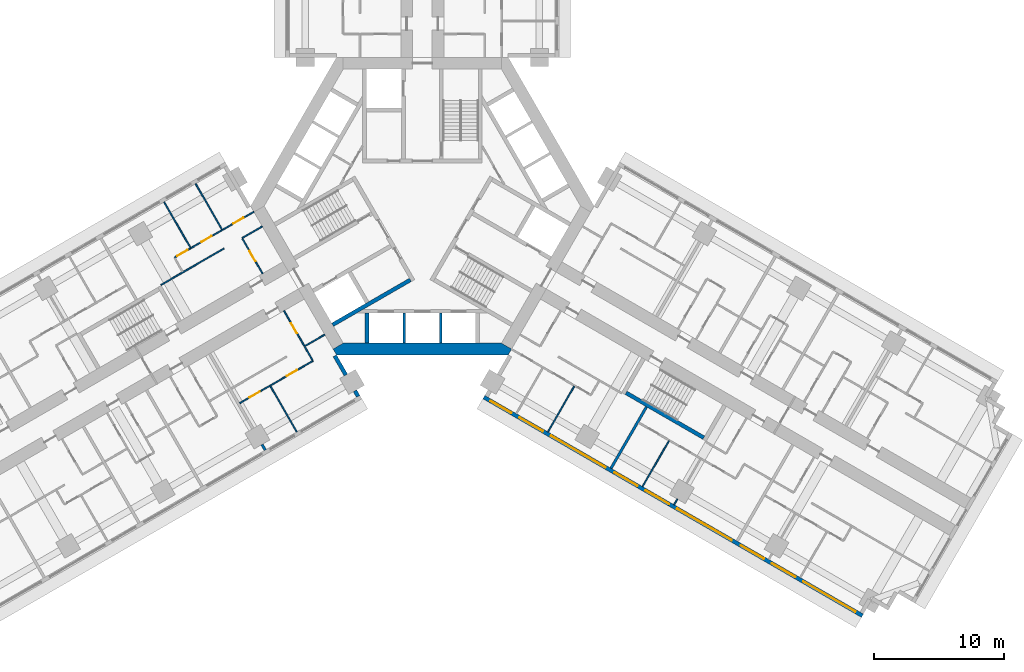
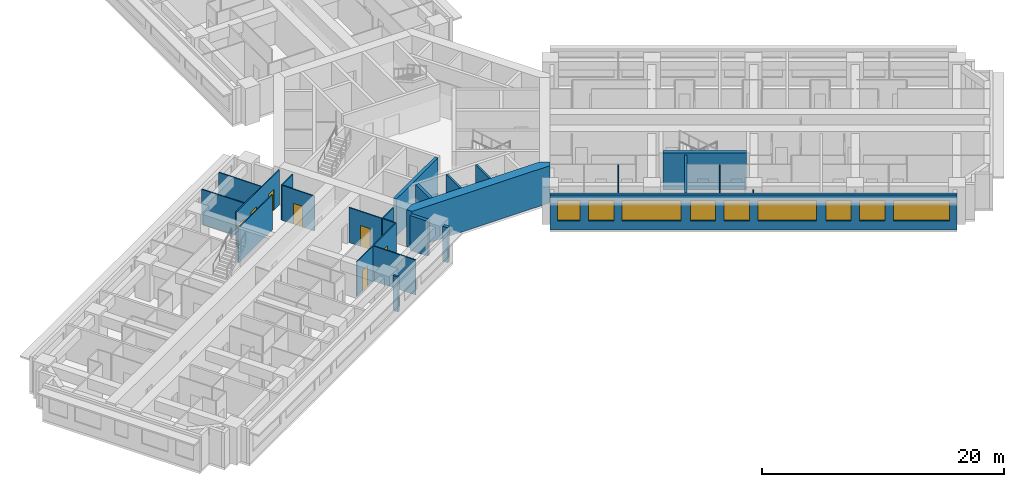
# One storey, part 6 of 16: 25 walls, 9 windows, 7 doors, 16 openings.
"""IFC4 building model written with IfcOpenShell, lengths in metres."""

from ifc_helpers import new_model, si_unit, direction, frame, frame_2d, origin, place, context, subcontext, project, spatial, polyline, rectangle, outline, extrude, material, layer, layer_set, type_object, element, fill, save


model = new_model("IFC4")

# Units and contexts
model_context = context("Model", 3, precision=1e-05, world=origin(), true_north=direction((0.0, 1.0)))
body_context = subcontext(model_context, "Body", "Model", "MODEL_VIEW")
ifc_project = project(units=[si_unit("LENGTHUNIT", "METRE"), si_unit("AREAUNIT", "SQUARE_METRE"), si_unit("VOLUMEUNIT", "CUBIC_METRE"), si_unit("PLANEANGLEUNIT", "RADIAN"), si_unit("MASSUNIT", "GRAM", prefix="KILO")], contexts=[model_context])

# Site, building, storey
site_placement = place(None, origin())
site = spatial("IfcSite", under=ifc_project, at=site_placement, CompositionType="ELEMENT")
building_placement = place(site_placement, origin())
building = spatial("IfcBuilding", under=site, at=building_placement, Name="Impinga Residences", CompositionType="ELEMENT")
storey_placement = place(building_placement, frame((0.0, 0.0, 63.5)))
storey = spatial("IfcBuildingStorey", under=building, at=storey_placement, Name="L15", CompositionType="ELEMENT", Elevation=63.5)

# Wall, openings, windows
ifc_material_1 = material(Name="Terracotta rainscreen on blockwork", Category="masonry")
ifc_layer_1 = layer(ifc_material_1, 0.300048828125)
ifc_layer_set_1 = layer_set([ifc_layer_1], Name="EW1 external wall, terracotta rainscreen on blockwork 300")
wall_type_1 = type_object("IfcWallType", Name="EW1 external wall, terracotta rainscreen on blockwork 300", PredefinedType="SOLIDWALL", material=ifc_layer_set_1)
wall_1_placement = place(storey_placement, frame((33.823486328125, -31.479248046875, 0.0), z_axis=(0.0, 0.0, 1.0), x_axis=(-0.866024291668, 0.500001926238, 0.0)))
wall_1 = element("IfcWall", 1, at=wall_1_placement, inside=storey, type_object=wall_type_1, Name="External wall EW1 L15", PredefinedType="SOLIDWALL", context=body_context, shape_type="SweptSolid", body=[
    extrude(rectangle(XDim=33.599853515625, YDim=0.300048828125, at=frame_2d((16.7998046875, 0.0))), origin(), (0.0, 0.0, 1.0), 3.530029296875),
])
opening_1_placement = place(wall_1_placement, frame((0.60009765625, 0.0, 0.89990234375)))
opening_1 = element("IfcOpeningElement", 2, at=opening_1_placement, cuts=wall_1, Name="Opening W10", PredefinedType="OPENING", context=body_context, shape_type="SweptSolid", body=[
    extrude(rectangle(XDim=4.64990234375, YDim=2.050048828125, at=frame_2d((2.324951171875, 1.02490234375))), frame((0.0, 0.159912109375, 0.0), z_axis=(0.0, -1.0, 0.0), x_axis=(1.0, 0.0, 0.0)), (0.0, 0.0, 1.0), 0.320068359375),
])
opening_2_placement = place(wall_1_placement, frame((5.949951171875, 0.0, 0.89990234375)))
opening_2 = element("IfcOpeningElement", 3, at=opening_2_placement, cuts=wall_1, Name="Opening W9", PredefinedType="OPENING", context=body_context, shape_type="SweptSolid", body=[
    extrude(rectangle(XDim=2.10009765625, YDim=2.050048828125, at=frame_2d((1.050048828125, 1.02490234375))), frame((0.0, 0.159912109375, 0.0), z_axis=(0.0, -1.0, 0.0), x_axis=(1.0, 0.0, 0.0)), (0.0, 0.0, 1.0), 0.320068359375),
])
opening_3_placement = place(wall_1_placement, frame((8.75, 0.0, 0.89990234375)))
opening_3 = element("IfcOpeningElement", 4, at=opening_3_placement, cuts=wall_1, Name="Opening W14", PredefinedType="OPENING", context=body_context, shape_type="SweptSolid", body=[
    extrude(rectangle(XDim=2.050048828125, YDim=2.050048828125, at=frame_2d((1.02490234375, 1.02490234375))), frame((0.0, 0.159912109375, 0.0), z_axis=(0.0, -1.0, 0.0), x_axis=(1.0, 0.0, 0.0)), (0.0, 0.0, 1.0), 0.320068359375),
])
opening_4_placement = place(wall_1_placement, frame((11.60009765625, 0.0, 0.89990234375)))
opening_4 = element("IfcOpeningElement", 5, at=opening_4_placement, cuts=wall_1, Name="Opening W6", PredefinedType="OPENING", context=body_context, shape_type="SweptSolid", body=[
    extrude(rectangle(XDim=4.85009765625, YDim=2.050048828125, at=frame_2d((2.425048828125, 1.02490234375))), frame((0.0, 0.159912109375, 0.0), z_axis=(0.0, -1.0, 0.0), x_axis=(1.0, 0.0, 0.0)), (0.0, 0.0, 1.0), 0.320068359375),
])
opening_5_placement = place(wall_1_placement, frame((17.14990234375, 0.0, 0.89990234375)))
opening_5 = element("IfcOpeningElement", 6, at=opening_5_placement, cuts=wall_1, Name="Opening W9", PredefinedType="OPENING", context=body_context, shape_type="SweptSolid", body=[
    extrude(rectangle(XDim=2.10009765625, YDim=2.050048828125, at=frame_2d((1.050048828125, 1.02490234375))), frame((0.0, 0.159912109375, 0.0), z_axis=(0.0, -1.0, 0.0), x_axis=(1.0, 0.0, 0.0)), (0.0, 0.0, 1.0), 0.320068359375),
])
opening_6_placement = place(wall_1_placement, frame((19.949951171875, 0.0, 0.89990234375)))
opening_6 = element("IfcOpeningElement", 7, at=opening_6_placement, cuts=wall_1, Name="Opening W14", PredefinedType="OPENING", context=body_context, shape_type="SweptSolid", body=[
    extrude(rectangle(XDim=2.050048828125, YDim=2.050048828125, at=frame_2d((1.02490234375, 1.02490234375))), frame((0.0, 0.159912109375, 0.0), z_axis=(0.0, -1.0, 0.0), x_axis=(1.0, 0.0, 0.0)), (0.0, 0.0, 1.0), 0.320068359375),
])
opening_7_placement = place(wall_1_placement, frame((22.800048828125, 0.0, 0.89990234375)))
opening_7 = element("IfcOpeningElement", 8, at=opening_7_placement, cuts=wall_1, Name="Opening W6", PredefinedType="OPENING", context=body_context, shape_type="SweptSolid", body=[
    extrude(rectangle(XDim=4.85009765625, YDim=2.050048828125, at=frame_2d((2.425048828125, 1.02490234375))), frame((0.0, 0.159912109375, 0.0), z_axis=(0.0, -1.0, 0.0), x_axis=(1.0, 0.0, 0.0)), (0.0, 0.0, 1.0), 0.320068359375),
])
opening_8_placement = place(wall_1_placement, frame((28.35009765625, 0.0, 0.89990234375)))
opening_8 = element("IfcOpeningElement", 9, at=opening_8_placement, cuts=wall_1, Name="Opening W9", PredefinedType="OPENING", context=body_context, shape_type="SweptSolid", body=[
    extrude(rectangle(XDim=2.10009765625, YDim=2.050048828125, at=frame_2d((1.050048828125, 1.02490234375))), frame((0.0, 0.159912109375, 0.0), z_axis=(0.0, -1.0, 0.0), x_axis=(1.0, 0.0, 0.0)), (0.0, 0.0, 1.0), 0.320068359375),
])
opening_9_placement = place(wall_1_placement, frame((31.14990234375, 0.0, 0.89990234375)))
opening_9 = element("IfcOpeningElement", 10, at=opening_9_placement, cuts=wall_1, Name="Opening W15", PredefinedType="OPENING", context=body_context, shape_type="SweptSolid", body=[
    extrude(rectangle(XDim=1.85009765625, YDim=2.050048828125, at=frame_2d((0.925048828125, 1.02490234375))), frame((0.0, 0.159912109375, 0.0), z_axis=(0.0, -1.0, 0.0), x_axis=(1.0, 0.0, 0.0)), (0.0, 0.0, 1.0), 0.320068359375),
])
ifc_material_2 = material(Name="Aluminium window, clear double glazing", Category="aluminium")
window_type_1 = type_object("IfcWindowType", Name="W10 ribbon window 4650x2050", PartitioningType="SINGLE_PANEL", PredefinedType="WINDOW", material=ifc_material_2)
window_1_placement = place(opening_1_placement, origin())
window_1 = element("IfcWindow", 11, at=window_1_placement, inside=storey, type_object=window_type_1, Name="Window L15", OverallHeight=2.050048828125, OverallWidth=4.64990234375, PartitioningType="SINGLE_PANEL", PredefinedType="WINDOW", context=body_context, shape_type="SweptSolid", body=[
    extrude(rectangle(XDim=4.64990234375, YDim=2.050048828125, at=frame_2d((2.324951171875, 1.02490234375))), frame((0.0, 0.030029296875, 0.0), z_axis=(0.0, -1.0, 0.0), x_axis=(1.0, 0.0, 0.0)), (0.0, 0.0, 1.0), 0.06005859375),
])
fill(opening_1, window_1)
window_type_2 = type_object("IfcWindowType", Name="W14 ribbon window 2050x2050", PartitioningType="SINGLE_PANEL", PredefinedType="WINDOW", material=ifc_material_2)
window_2_placement = place(opening_3_placement, origin())
window_2 = element("IfcWindow", 12, at=window_2_placement, inside=storey, type_object=window_type_2, Name="Window L15", OverallHeight=2.050048828125, OverallWidth=2.050048828125, PartitioningType="SINGLE_PANEL", PredefinedType="WINDOW", context=body_context, shape_type="SweptSolid", body=[
    extrude(rectangle(XDim=2.050048828125, YDim=2.050048828125, at=frame_2d((1.02490234375, 1.02490234375))), frame((0.0, 0.030029296875, 0.0), z_axis=(0.0, -1.0, 0.0), x_axis=(1.0, 0.0, 0.0)), (0.0, 0.0, 1.0), 0.06005859375),
])
fill(opening_3, window_2)
window_3_placement = place(opening_6_placement, origin())
window_3 = element("IfcWindow", 13, at=window_3_placement, inside=storey, type_object=window_type_2, Name="Window L15", OverallHeight=2.050048828125, OverallWidth=2.050048828125, PartitioningType="SINGLE_PANEL", PredefinedType="WINDOW", context=body_context, shape_type="SweptSolid", body=[
    extrude(rectangle(XDim=2.050048828125, YDim=2.050048828125, at=frame_2d((1.02490234375, 1.02490234375))), frame((0.0, 0.030029296875, 0.0), z_axis=(0.0, -1.0, 0.0), x_axis=(1.0, 0.0, 0.0)), (0.0, 0.0, 1.0), 0.06005859375),
])
fill(opening_6, window_3)
window_type_3 = type_object("IfcWindowType", Name="W15 ribbon window 1850x2050", PartitioningType="SINGLE_PANEL", PredefinedType="WINDOW", material=ifc_material_2)
window_4_placement = place(opening_9_placement, origin())
window_4 = element("IfcWindow", 14, at=window_4_placement, inside=storey, type_object=window_type_3, Name="Window L15", OverallHeight=2.050048828125, OverallWidth=1.85009765625, PartitioningType="SINGLE_PANEL", PredefinedType="WINDOW", context=body_context, shape_type="SweptSolid", body=[
    extrude(rectangle(XDim=1.85009765625, YDim=2.050048828125, at=frame_2d((0.925048828125, 1.02490234375))), frame((0.0, 0.030029296875, 0.0), z_axis=(0.0, -1.0, 0.0), x_axis=(1.0, 0.0, 0.0)), (0.0, 0.0, 1.0), 0.06005859375),
])
fill(opening_9, window_4)
window_type_4 = type_object("IfcWindowType", Name="W6 ribbon window 4850x2050", PartitioningType="SINGLE_PANEL", PredefinedType="WINDOW", material=ifc_material_2)
window_5_placement = place(opening_4_placement, origin())
window_5 = element("IfcWindow", 15, at=window_5_placement, inside=storey, type_object=window_type_4, Name="Window L15", OverallHeight=2.050048828125, OverallWidth=4.85009765625, PartitioningType="SINGLE_PANEL", PredefinedType="WINDOW", context=body_context, shape_type="SweptSolid", body=[
    extrude(rectangle(XDim=4.85009765625, YDim=2.050048828125, at=frame_2d((2.425048828125, 1.02490234375))), frame((0.0, 0.030029296875, 0.0), z_axis=(0.0, -1.0, 0.0), x_axis=(1.0, 0.0, 0.0)), (0.0, 0.0, 1.0), 0.06005859375),
])
fill(opening_4, window_5)
window_6_placement = place(opening_7_placement, origin())
window_6 = element("IfcWindow", 16, at=window_6_placement, inside=storey, type_object=window_type_4, Name="Window L15", OverallHeight=2.050048828125, OverallWidth=4.85009765625, PartitioningType="SINGLE_PANEL", PredefinedType="WINDOW", context=body_context, shape_type="SweptSolid", body=[
    extrude(rectangle(XDim=4.85009765625, YDim=2.050048828125, at=frame_2d((2.425048828125, 1.02490234375))), frame((0.0, 0.030029296875, 0.0), z_axis=(0.0, -1.0, 0.0), x_axis=(1.0, 0.0, 0.0)), (0.0, 0.0, 1.0), 0.06005859375),
])
fill(opening_7, window_6)
window_type_5 = type_object("IfcWindowType", Name="W9 ribbon window 2100x2050", PartitioningType="SINGLE_PANEL", PredefinedType="WINDOW", material=ifc_material_2)
window_7_placement = place(opening_2_placement, origin())
window_7 = element("IfcWindow", 17, at=window_7_placement, inside=storey, type_object=window_type_5, Name="Window L15", OverallHeight=2.050048828125, OverallWidth=2.10009765625, PartitioningType="SINGLE_PANEL", PredefinedType="WINDOW", context=body_context, shape_type="SweptSolid", body=[
    extrude(rectangle(XDim=2.10009765625, YDim=2.050048828125, at=frame_2d((1.050048828125, 1.02490234375))), frame((0.0, 0.030029296875, 0.0), z_axis=(0.0, -1.0, 0.0), x_axis=(1.0, 0.0, 0.0)), (0.0, 0.0, 1.0), 0.06005859375),
])
fill(opening_2, window_7)
window_8_placement = place(opening_5_placement, origin())
window_8 = element("IfcWindow", 18, at=window_8_placement, inside=storey, type_object=window_type_5, Name="Window L15", OverallHeight=2.050048828125, OverallWidth=2.10009765625, PartitioningType="SINGLE_PANEL", PredefinedType="WINDOW", context=body_context, shape_type="SweptSolid", body=[
    extrude(rectangle(XDim=2.10009765625, YDim=2.050048828125, at=frame_2d((1.050048828125, 1.02490234375))), frame((0.0, 0.030029296875, 0.0), z_axis=(0.0, -1.0, 0.0), x_axis=(1.0, 0.0, 0.0)), (0.0, 0.0, 1.0), 0.06005859375),
])
fill(opening_5, window_8)
window_9_placement = place(opening_8_placement, origin())
window_9 = element("IfcWindow", 19, at=window_9_placement, inside=storey, type_object=window_type_5, Name="Window L15", OverallHeight=2.050048828125, OverallWidth=2.10009765625, PartitioningType="SINGLE_PANEL", PredefinedType="WINDOW", context=body_context, shape_type="SweptSolid", body=[
    extrude(rectangle(XDim=2.10009765625, YDim=2.050048828125, at=frame_2d((1.050048828125, 1.02490234375))), frame((0.0, 0.030029296875, 0.0), z_axis=(0.0, -1.0, 0.0), x_axis=(1.0, 0.0, 0.0)), (0.0, 0.0, 1.0), 0.06005859375),
])
fill(opening_8, window_9)

# Walls
wall_2_placement = place(storey_placement, frame((-6.72998046875, -11.506591796875, 0.0), z_axis=(0.0, 0.0, 1.0), x_axis=(0.500062241894, -0.865989465428, 0.0)))
element("IfcWall", 20, at=wall_2_placement, inside=storey, type_object=wall_type_1, Name="External wall EW1 L15", PredefinedType="SOLIDWALL", context=body_context, shape_type="SweptSolid", body=[
    extrude(rectangle(XDim=1.699951171875, YDim=0.300048828125, at=frame_2d((0.85009765625, 0.0))), origin(), (0.0, 0.0, 1.0), 3.530029296875),
])
wall_3_placement = place(storey_placement, frame((-5.179931640625, -14.191162109375, 0.0), z_axis=(0.0, 0.0, 1.0), x_axis=(0.499919672301, -0.866071776036, 0.0)))
element("IfcWall", 21, at=wall_3_placement, inside=storey, type_object=wall_type_1, Name="External wall EW1 L15", PredefinedType="SOLIDWALL", context=body_context, shape_type="SweptSolid", body=[
    extrude(rectangle(XDim=0.5, YDim=0.300048828125, at=frame_2d((0.25, 0.0))), origin(), (0.0, 0.0, 1.0), 3.530029296875),
])
ifc_material_3 = material(Name="Gypsum board on steel studs", Category="steel")
ifc_layer_2 = layer(ifc_material_3, 0.10009765625)
ifc_layer_set_2 = layer_set([ifc_layer_2], Name="Gypsum board on steel studs")
wall_type_2 = type_object("IfcWallType", Name="IP1 partition 100", PredefinedType="PARTITIONING", material=ifc_layer_set_2)
wall_4_placement = place(storey_placement, frame((-7.5, -9.872802734375, 0.0), z_axis=(0.0, 0.0, 1.0), x_axis=(-0.866047807691, -0.499961193289, 0.0)))
element("IfcWall", 22, at=wall_4_placement, inside=storey, type_object=wall_type_2, Name="Partition L15-WA1:DIV0", PredefinedType="PARTITIONING", context=body_context, shape_type="SweptSolid", body=[
    extrude(rectangle(XDim=1.800048828125, YDim=0.10009765625, at=frame_2d((0.89990234375, 0.0))), origin(), (0.0, 0.0, 1.0), 3.530029296875),
])

# Wall, openings, doors
wall_5_placement = place(storey_placement, frame((-8.408935546875, -11.8984375, 0.0), z_axis=(0.0, 0.0, 1.0), x_axis=(-0.866024837091, -0.50000098154, 0.0)))
wall_5 = element("IfcWall", 23, at=wall_5_placement, inside=storey, type_object=wall_type_2, Name="Partition L15-WA1:STRIP", PredefinedType="PARTITIONING", context=body_context, shape_type="SweptSolid", body=[
    extrude(rectangle(XDim=6.5, YDim=0.10009765625, at=frame_2d((3.25, 0.0))), origin(), (0.0, 0.0, 1.0), 3.530029296875),
])
opening_10_placement = place(wall_5_placement, frame((1.425048828125, 0.0, 0.0)))
opening_10 = element("IfcOpeningElement", 24, at=opening_10_placement, cuts=wall_5, Name="Opening D2", PredefinedType="OPENING", context=body_context, shape_type="SweptSolid", body=[
    extrude(rectangle(XDim=0.89990234375, YDim=2.10009765625, at=frame_2d((0.449951171875, 1.050048828125))), frame((0.0, 0.06005859375, 0.0), z_axis=(0.0, -1.0, 0.0), x_axis=(1.0, 0.0, 0.0)), (0.0, 0.0, 1.0), 0.1201171875),
])
opening_11_placement = place(wall_5_placement, frame((4.72509765625, 0.0, 0.0)))
opening_11 = element("IfcOpeningElement", 25, at=opening_11_placement, cuts=wall_5, Name="Opening D2", PredefinedType="OPENING", context=body_context, shape_type="SweptSolid", body=[
    extrude(rectangle(XDim=0.89990234375, YDim=2.10009765625, at=frame_2d((0.449951171875, 1.050048828125))), frame((0.0, 0.06005859375, 0.0), z_axis=(0.0, -1.0, 0.0), x_axis=(1.0, 0.0, 0.0)), (0.0, 0.0, 1.0), 0.1201171875),
])
ifc_material_4 = material(Name="Timber door set", Category="wood")
door_type = type_object("IfcDoorType", Name="D2 internal door 900x2100", OperationType="SINGLE_SWING_LEFT", PredefinedType="DOOR", material=ifc_material_4)
door_1_placement = place(opening_10_placement, origin())
door_1 = element("IfcDoor", 26, at=door_1_placement, inside=storey, type_object=door_type, Name="Apartment L15-WA1 room door", OperationType="SINGLE_SWING_LEFT", OverallHeight=2.10009765625, OverallWidth=0.89990234375, PredefinedType="DOOR", context=body_context, shape_type="SweptSolid", body=[
    extrude(rectangle(XDim=0.89990234375, YDim=2.10009765625, at=frame_2d((0.449951171875, 1.050048828125))), frame((0.0, 0.02490234375, 0.0), z_axis=(0.0, -1.0, 0.0), x_axis=(1.0, 0.0, 0.0)), (0.0, 0.0, 1.0), 0.050048828125),
])
fill(opening_10, door_1)
door_2_placement = place(opening_11_placement, origin())
door_2 = element("IfcDoor", 27, at=door_2_placement, inside=storey, type_object=door_type, Name="Apartment L15-WA1 room door", OperationType="SINGLE_SWING_RIGHT", OverallHeight=2.10009765625, OverallWidth=0.89990234375, PredefinedType="DOOR", context=body_context, shape_type="SweptSolid", body=[
    extrude(rectangle(XDim=0.89990234375, YDim=2.10009765625, at=frame_2d((0.449951171875, 1.050048828125))), frame((0.0, 0.02490234375, 0.0), z_axis=(0.0, -1.0, 0.0), x_axis=(1.0, 0.0, 0.0)), (0.0, 0.0, 1.0), 0.050048828125),
])
fill(opening_11, door_2)

# Wall
wall_6_placement = place(storey_placement, frame((-9.033935546875, -10.81591796875, 0.0), z_axis=(0.0, 0.0, 1.0), x_axis=(0.500033551112, -0.866006032174, 0.0)))
element("IfcWall", 28, at=wall_6_placement, inside=storey, type_object=wall_type_2, Name="Partition L15-WA1:SE0", PredefinedType="PARTITIONING", context=body_context, shape_type="SweptSolid", body=[
    extrude(rectangle(XDim=1.2001953125, YDim=0.10009765625, at=frame_2d((0.60009765625, 0.0))), origin(), (0.0, 0.0, 1.0), 3.530029296875),
])

# Wall, opening, door
wall_7_placement = place(storey_placement, frame((-10.6337890625, -8.044677734375, 0.0), z_axis=(0.0, 0.0, 1.0), x_axis=(0.49999285859, -0.86602952684, 0.0)))
wall_7 = element("IfcWall", 29, at=wall_7_placement, inside=storey, type_object=wall_type_2, Name="Partition L15-WA1:IB1", PredefinedType="PARTITIONING", context=body_context, shape_type="SweptSolid", body=[
    extrude(rectangle(XDim=3.10009765625, YDim=0.10009765625, at=frame_2d((1.550048828125, 0.0))), origin(), (0.0, 0.0, 1.0), 3.530029296875),
])
opening_12_placement = place(wall_7_placement, frame((1.10009765625, 0.0, 0.0)))
opening_12 = element("IfcOpeningElement", 30, at=opening_12_placement, cuts=wall_7, Name="Opening D2", PredefinedType="OPENING", context=body_context, shape_type="SweptSolid", body=[
    extrude(rectangle(XDim=0.89990234375, YDim=2.10009765625, at=frame_2d((0.449951171875, 1.050048828125))), frame((0.0, 0.06005859375, 0.0), z_axis=(0.0, -1.0, 0.0), x_axis=(1.0, 0.0, 0.0)), (0.0, 0.0, 1.0), 0.1201171875),
])
door_3_placement = place(opening_12_placement, origin())
door_3 = element("IfcDoor", 31, at=door_3_placement, inside=storey, type_object=door_type, Name="Apartment L15-WA1 bathroom door", OperationType="SINGLE_SWING_LEFT", OverallHeight=2.10009765625, OverallWidth=0.89990234375, PredefinedType="DOOR", context=body_context, shape_type="SweptSolid", body=[
    extrude(rectangle(XDim=0.89990234375, YDim=2.10009765625, at=frame_2d((0.449951171875, 1.050048828125))), frame((0.0, 0.02490234375, 0.0), z_axis=(0.0, -1.0, 0.0), x_axis=(1.0, 0.0, 0.0)), (0.0, 0.0, 1.0), 0.050048828125),
])
fill(opening_12, door_3)

# Walls
wall_8_placement = place(storey_placement, frame((-11.6748046875, -13.841796875, 0.0), z_axis=(0.0, 0.0, 1.0), x_axis=(0.500035537042, -0.866004885491, 0.0)))
element("IfcWall", 32, at=wall_8_placement, inside=storey, type_object=wall_type_2, Name="Partition L15-WA1:OB1", PredefinedType="PARTITIONING", context=body_context, shape_type="SweptSolid", body=[
    extrude(rectangle(XDim=4.050048828125, YDim=0.10009765625, at=frame_2d((2.02490234375, 0.0))), origin(), (0.0, 0.0, 1.0), 3.530029296875),
])
wall_9_placement = place(storey_placement, frame((-12.300048828125, -1.558837890625, 0.0), z_axis=(0.0, 0.0, 1.0), x_axis=(-0.866047807691, -0.499961193289, 0.0)))
element("IfcWall", 33, at=wall_9_placement, inside=storey, type_object=wall_type_2, Name="Partition L15-WF1:DIV0", PredefinedType="PARTITIONING", context=body_context, shape_type="SweptSolid", body=[
    extrude(rectangle(XDim=1.800048828125, YDim=0.10009765625, at=frame_2d((0.89990234375, 0.0))), origin(), (0.0, 0.0, 1.0), 3.530029296875),
])
wall_10_placement = place(storey_placement, frame((-15.244384765625, -3.2587890625, 0.0), z_axis=(0.0, 0.0, 1.0), x_axis=(-0.866026594901, -0.49999793692, 0.0)))
element("IfcWall", 34, at=wall_10_placement, inside=storey, type_object=wall_type_2, Name="Partition L15-WF1:DIV1", PredefinedType="PARTITIONING", context=body_context, shape_type="SweptSolid", body=[
    extrude(rectangle(XDim=5.60009765625, YDim=0.10009765625, at=frame_2d((2.800048828125, 0.0))), origin(), (0.0, 0.0, 1.0), 3.530029296875),
])

# Wall, openings, doors
wall_11_placement = place(storey_placement, frame((-12.949951171875, -0.43310546875, 0.0), z_axis=(0.0, 0.0, 1.0), x_axis=(-0.866031034943, -0.499990246421, 0.0)))
wall_11 = element("IfcWall", 35, at=wall_11_placement, inside=storey, type_object=wall_type_2, Name="Partition L15-WF1:STRIP", PredefinedType="PARTITIONING", context=body_context, shape_type="SweptSolid", body=[
    extrude(rectangle(XDim=7.050048828125, YDim=0.10009765625, at=frame_2d((3.52490234375, 0.0))), origin(), (0.0, 0.0, 1.0), 3.530029296875),
])
opening_13_placement = place(wall_11_placement, frame((0.925048828125, 0.0, 0.0)))
opening_13 = element("IfcOpeningElement", 36, at=opening_13_placement, cuts=wall_11, Name="Opening D2", PredefinedType="OPENING", context=body_context, shape_type="SweptSolid", body=[
    extrude(rectangle(XDim=0.89990234375, YDim=2.10009765625, at=frame_2d((0.449951171875, 1.050048828125))), frame((0.0, 0.06005859375, 0.0), z_axis=(0.0, -1.0, 0.0), x_axis=(1.0, 0.0, 0.0)), (0.0, 0.0, 1.0), 0.1201171875),
])
opening_14_placement = place(wall_11_placement, frame((3.75, 0.0, 0.0)))
opening_14 = element("IfcOpeningElement", 37, at=opening_14_placement, cuts=wall_11, Name="Opening D2", PredefinedType="OPENING", context=body_context, shape_type="SweptSolid", body=[
    extrude(rectangle(XDim=0.89990234375, YDim=2.10009765625, at=frame_2d((0.449951171875, 1.050048828125))), frame((0.0, 0.06005859375, 0.0), z_axis=(0.0, -1.0, 0.0), x_axis=(1.0, 0.0, 0.0)), (0.0, 0.0, 1.0), 0.1201171875),
])
opening_15_placement = place(wall_11_placement, frame((5.89990234375, 0.0, 0.0)))
opening_15 = element("IfcOpeningElement", 38, at=opening_15_placement, cuts=wall_11, Name="Opening D2", PredefinedType="OPENING", context=body_context, shape_type="SweptSolid", body=[
    extrude(rectangle(XDim=0.89990234375, YDim=2.10009765625, at=frame_2d((0.449951171875, 1.050048828125))), frame((0.0, 0.06005859375, 0.0), z_axis=(0.0, -1.0, 0.0), x_axis=(1.0, 0.0, 0.0)), (0.0, 0.0, 1.0), 0.1201171875),
])
door_4_placement = place(opening_13_placement, origin())
door_4 = element("IfcDoor", 39, at=door_4_placement, inside=storey, type_object=door_type, Name="Apartment L15-WF1 room door", OperationType="SINGLE_SWING_LEFT", OverallHeight=2.10009765625, OverallWidth=0.89990234375, PredefinedType="DOOR", context=body_context, shape_type="SweptSolid", body=[
    extrude(rectangle(XDim=0.89990234375, YDim=2.10009765625, at=frame_2d((0.449951171875, 1.050048828125))), frame((0.0, 0.02490234375, 0.0), z_axis=(0.0, -1.0, 0.0), x_axis=(1.0, 0.0, 0.0)), (0.0, 0.0, 1.0), 0.050048828125),
])
fill(opening_13, door_4)
door_5_placement = place(opening_14_placement, origin())
door_5 = element("IfcDoor", 40, at=door_5_placement, inside=storey, type_object=door_type, Name="Apartment L15-WF1 room door", OperationType="SINGLE_SWING_RIGHT", OverallHeight=2.10009765625, OverallWidth=0.89990234375, PredefinedType="DOOR", context=body_context, shape_type="SweptSolid", body=[
    extrude(rectangle(XDim=0.89990234375, YDim=2.10009765625, at=frame_2d((0.449951171875, 1.050048828125))), frame((0.0, 0.02490234375, 0.0), z_axis=(0.0, -1.0, 0.0), x_axis=(1.0, 0.0, 0.0)), (0.0, 0.0, 1.0), 0.050048828125),
])
fill(opening_14, door_5)
door_6_placement = place(opening_15_placement, origin())
door_6 = element("IfcDoor", 41, at=door_6_placement, inside=storey, type_object=door_type, Name="Apartment L15-WF1 room door", OperationType="SINGLE_SWING_RIGHT", OverallHeight=2.10009765625, OverallWidth=0.89990234375, PredefinedType="DOOR", context=body_context, shape_type="SweptSolid", body=[
    extrude(rectangle(XDim=0.89990234375, YDim=2.10009765625, at=frame_2d((0.449951171875, 1.050048828125))), frame((0.0, 0.02490234375, 0.0), z_axis=(0.0, -1.0, 0.0), x_axis=(1.0, 0.0, 0.0)), (0.0, 0.0, 1.0), 0.050048828125),
])
fill(opening_15, door_6)

# Wall, opening, door
wall_12_placement = place(storey_placement, frame((-12.283935546875, -5.186767578125, 0.0), z_axis=(0.0, 0.0, 1.0), x_axis=(-0.499967891604, 0.866043940782, 0.0)))
wall_12 = element("IfcWall", 42, at=wall_12_placement, inside=storey, type_object=wall_type_2, Name="Partition L15-WF1:IB1", PredefinedType="PARTITIONING", context=body_context, shape_type="SweptSolid", body=[
    extrude(rectangle(XDim=3.099853515625, YDim=0.10009765625, at=frame_2d((1.5498046875, 0.0))), origin(), (0.0, 0.0, 1.0), 3.530029296875),
])
opening_16_placement = place(wall_12_placement, frame((1.10009765625, 0.0, 0.0)))
opening_16 = element("IfcOpeningElement", 43, at=opening_16_placement, cuts=wall_12, Name="Opening D2", PredefinedType="OPENING", context=body_context, shape_type="SweptSolid", body=[
    extrude(rectangle(XDim=0.89990234375, YDim=2.10009765625, at=frame_2d((0.449951171875, 1.050048828125))), frame((0.0, 0.06005859375, 0.0), z_axis=(0.0, -1.0, 0.0), x_axis=(1.0, 0.0, 0.0)), (0.0, 0.0, 1.0), 0.1201171875),
])
door_7_placement = place(opening_16_placement, origin())
door_7 = element("IfcDoor", 44, at=door_7_placement, inside=storey, type_object=door_type, Name="Apartment L15-WF1 bathroom door", OperationType="SINGLE_SWING_LEFT", OverallHeight=2.10009765625, OverallWidth=0.89990234375, PredefinedType="DOOR", context=body_context, shape_type="SweptSolid", body=[
    extrude(rectangle(XDim=0.89990234375, YDim=2.10009765625, at=frame_2d((0.449951171875, 1.050048828125))), frame((0.0, 0.02490234375, 0.0), z_axis=(0.0, -1.0, 0.0), x_axis=(1.0, 0.0, 0.0)), (0.0, 0.0, 1.0), 0.050048828125),
])
fill(opening_16, door_7)

# Walls
for number, where, z_axis, x_axis, name in (
    (45, (-15.39990234375, -1.789794921875, 0.0), (0.0, 0.0, 1.0), (-0.499964223975, 0.866046058097, 0.0), "Partition L15-WF1:OB1"),
    (46, (-17.82470703125, -3.189697265625, 0.0), (0.0, 0.0, 1.0), (-0.500035537042, 0.866004885491, 0.0), "Partition L15-WF1:OB2"),
    (47, (11.6748046875, -13.841796875, 0.0), (0.0, 0.0, 1.0), (-0.500035537042, -0.866004885491, 0.0), "Partition L15-EF1:OB2"),
):
    element("IfcWall", number, at=place(storey_placement, frame(where, z_axis=z_axis, x_axis=x_axis)), inside=storey, type_object=wall_type_2, Name=name, PredefinedType="PARTITIONING", context=body_context, shape_type="SweptSolid", body=[
        extrude(rectangle(XDim=4.050048828125, YDim=0.10009765625, at=frame_2d((2.02490234375, 0.0))), origin(), (0.0, 0.0, 1.0), 3.530029296875),
    ])
wall_13_placement = place(storey_placement, frame((18.949462890625, -18.041748046875, 0.0), z_axis=(0.0, 0.0, 1.0), x_axis=(-0.50000943426, -0.866019956843, 0.0)))
element("IfcWall", 48, at=wall_13_placement, inside=storey, type_object=wall_type_2, Name="Partition L15-EF2:OB1", PredefinedType="PARTITIONING", context=body_context, shape_type="SweptSolid", body=[
    extrude(rectangle(XDim=4.05029296875, YDim=0.10009765625, at=frame_2d((2.025146484375, 0.0))), origin(), (0.0, 0.0, 1.0), 3.530029296875),
])
wall_14_placement = place(storey_placement, frame((19.59912109375, -22.51611328125, 0.0), z_axis=(0.0, 0.0, 1.0), x_axis=(-0.499919672301, -0.866071776036, 0.0)))
element("IfcWall", 49, at=wall_14_placement, inside=storey, type_object=wall_type_2, Name="Partition L15-EF2:OB2b", PredefinedType="PARTITIONING", context=body_context, shape_type="SweptSolid", body=[
    extrude(rectangle(XDim=0.5, YDim=0.10009765625, at=frame_2d((0.25, 0.0))), origin(), (0.0, 0.0, 1.0), 3.530029296875),
])
ifc_material_5 = material(Name="Concrete blockwork", Category="masonry")
ifc_layer_3 = layer(ifc_material_5, 0.199951171875)
ifc_layer_set_3 = layer_set([ifc_layer_3], Name="PW1 party wall between apartments 200")
wall_type_3 = type_object("IfcWallType", Name="PW1 party wall between apartments 200", PredefinedType="SOLIDWALL", material=ifc_layer_set_3)
wall_15_placement = place(storey_placement, frame((-12.32470703125, -18.316162109375, 0.0), z_axis=(0.0, 0.0, 1.0), x_axis=(0.499919672301, -0.866071776036, 0.0)))
element("IfcWall", 50, at=wall_15_placement, inside=storey, type_object=wall_type_3, Name="Party wall between apartments L15-WA1:PARTYb", PredefinedType="SOLIDWALL", context=body_context, shape_type="SweptSolid", body=[
    extrude(rectangle(XDim=0.5, YDim=0.199951171875, at=frame_2d((0.25, 0.0))), origin(), (0.0, 0.0, 1.0), 3.530029296875),
])
wall_16_placement = place(storey_placement, frame((17.224365234375, -15.429443359375, 0.0), z_axis=(0.0, 0.0, 1.0), x_axis=(-0.499988730927, -0.866031909889, 0.0)))
element("IfcWall", 51, at=wall_16_placement, inside=storey, type_object=wall_type_3, Name="Party wall between apartments L15-EF1:PARTY", PredefinedType="SOLIDWALL", context=body_context, shape_type="SweptSolid", body=[
    extrude(rectangle(XDim=5.449951171875, YDim=0.199951171875, at=frame_2d((2.72509765625, 0.0))), origin(), (0.0, 0.0, 1.0), 3.530029296875),
])
ifc_material_6 = material(Name="Concrete C60/75", Category="concrete")
ifc_layer_4 = layer(ifc_material_6, 0.300048828125)
ifc_layer_set_4 = layer_set([ifc_layer_4], Name="Concrete C60/75")
wall_type_4 = type_object("IfcWallType", Name="SE1 wing stair enclosure wall 300", PredefinedType="SOLIDWALL", material=ifc_layer_set_4)
wall_17_placement = place(storey_placement, frame((15.654052734375, -14.349365234375, 0.0), z_axis=(0.0, 0.0, 1.0), x_axis=(0.866013532718, -0.500020560727, 0.0)))
element("IfcWall", 52, at=wall_17_placement, inside=storey, type_object=wall_type_4, Name="Stair enclosure wall SE1 E OUT L15", PredefinedType="SOLIDWALL", context=body_context, shape_type="SweptSolid", body=[
    extrude(rectangle(XDim=6.900146484375, YDim=0.300048828125, at=frame_2d((3.4501953125, 0.0))), origin(), (0.0, 0.0, 1.0), 3.75),
])
ifc_material_7 = material(Name="Concrete C70/85", Category="concrete")
ifc_layer_5 = layer(ifc_material_7, 0.89990234375)
ifc_layer_set_5 = layer_set([ifc_layer_5], Name="Concrete C70/85")
wall_type_5 = type_object("IfcWallType", Name="SW1 core wall 900", PredefinedType="SHEAR", material=ifc_layer_set_5)
wall_18_placement = place(storey_placement, origin())
element("IfcWall", 53, at=wall_18_placement, inside=storey, type_object=wall_type_5, Name="Core wall SW1 N:EXPOSED L15", PredefinedType="SHEAR", context=body_context, shape_type="SweptSolid", body=[
    extrude(outline(polyline([(-6.60009765625, -11.431640625), (6.60009765625, -11.431640625), (6.85986328125, -10.9814453125), (6.080322265625, -10.531494140625), (-6.080322265625, -10.531494140625), (-6.85986328125, -10.9814453125), (-6.60009765625, -11.431640625)])), origin(), (0.0, 0.0, 1.0), 3.75),
])
ifc_layer_6 = layer(ifc_material_7, 0.300048828125)
ifc_layer_set_6 = layer_set([ifc_layer_6], Name="Concrete C70/85")
wall_type_6 = type_object("IfcWallType", Name="SW5 core inner wall, stairs, shafts and lobbies 300", PredefinedType="SHEAR", material=ifc_layer_set_6)
wall_19_placement = place(storey_placement, frame((-0.918701171875, -5.668701171875, 0.0), z_axis=(0.0, 0.0, 1.0), x_axis=(-0.866011800373, -0.500023561059, 0.0)))
element("IfcWall", 54, at=wall_19_placement, inside=storey, type_object=wall_type_6, Name="Core wall SW5 W:FF-OUT L15", PredefinedType="SHEAR", context=body_context, shape_type="SweptSolid", body=[
    extrude(rectangle(XDim=6.901611328125, YDim=0.300048828125, at=frame_2d((3.45068359375, 0.0))), origin(), (0.0, 0.0, 1.0), 3.75),
])
wall_20_placement = place(storey_placement, frame((-4.25, -8.2314453125, 0.0), z_axis=(0.0, 0.0, 1.0), x_axis=(0.0, -1.0, 0.0)))
element("IfcWall", 55, at=wall_20_placement, inside=storey, type_object=wall_type_6, Name="Core wall SW5 N:BANK-R L15", PredefinedType="SHEAR", context=body_context, shape_type="SweptSolid", body=[
    extrude(rectangle(XDim=2.300048828125, YDim=0.300048828125, at=frame_2d((1.14990234375, 0.0))), origin(), (0.0, 0.0, 1.0), 3.75),
])
ifc_layer_7 = layer(ifc_material_7, 0.199951171875)
ifc_layer_set_7 = layer_set([ifc_layer_7], Name="Concrete C70/85")
wall_type_7 = type_object("IfcWallType", Name="SW6 lift shaft divider wall 200", PredefinedType="SHEAR", material=ifc_layer_set_7)
for number, where, z_axis, x_axis, name in (
    (56, (1.39990234375, -8.2314453125, 0.0), (0.0, 0.0, 1.0), (0.0, -1.0, 0.0), "Core wall SW6 N:BANK-D1 L15"),
    (57, (-1.39990234375, -8.2314453125, 0.0), (0.0, 0.0, 1.0), (0.0, -1.0, 0.0), "Core wall SW6 N:BANK-D2 L15"),
):
    element("IfcWall", number, at=place(storey_placement, frame(where, z_axis=z_axis, x_axis=x_axis)), inside=storey, type_object=wall_type_7, Name=name, PredefinedType="SHEAR", context=body_context, shape_type="SweptSolid", body=[
        extrude(rectangle(XDim=2.300048828125, YDim=0.199951171875, at=frame_2d((1.14990234375, 0.0))), origin(), (0.0, 0.0, 1.0), 3.75),
    ])

save(model, "model.ifc")
